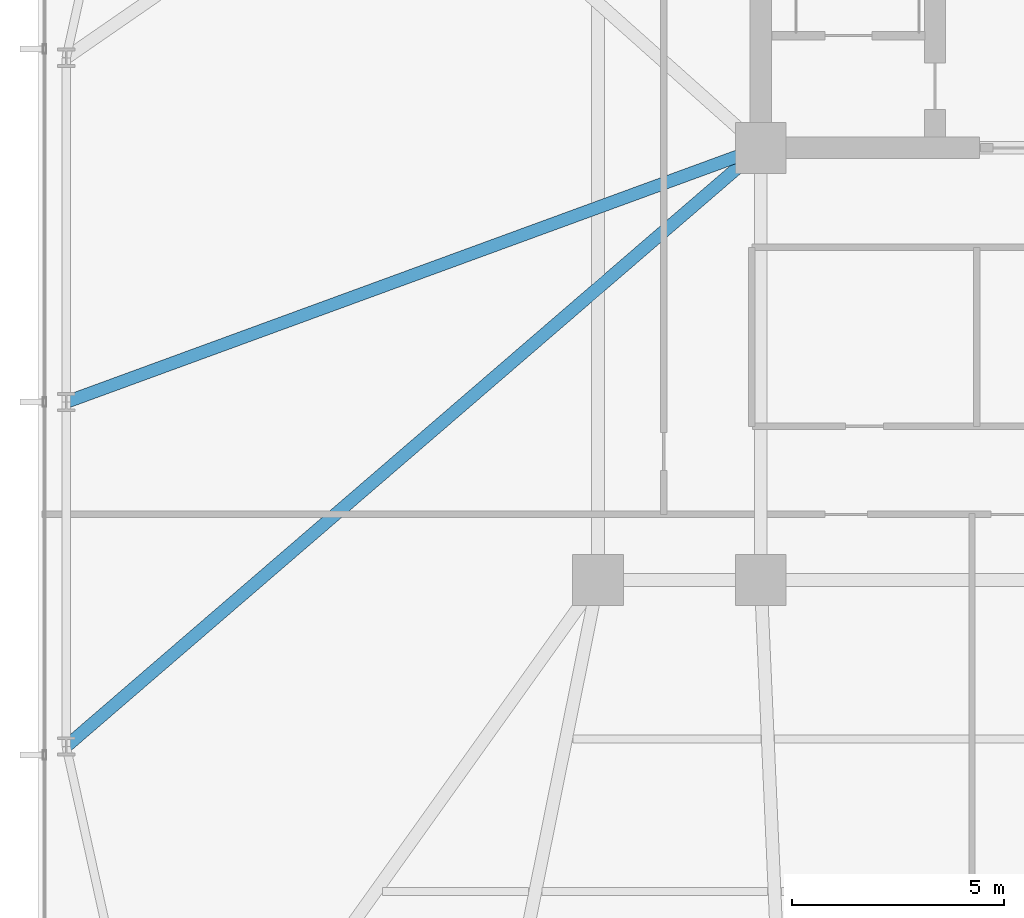
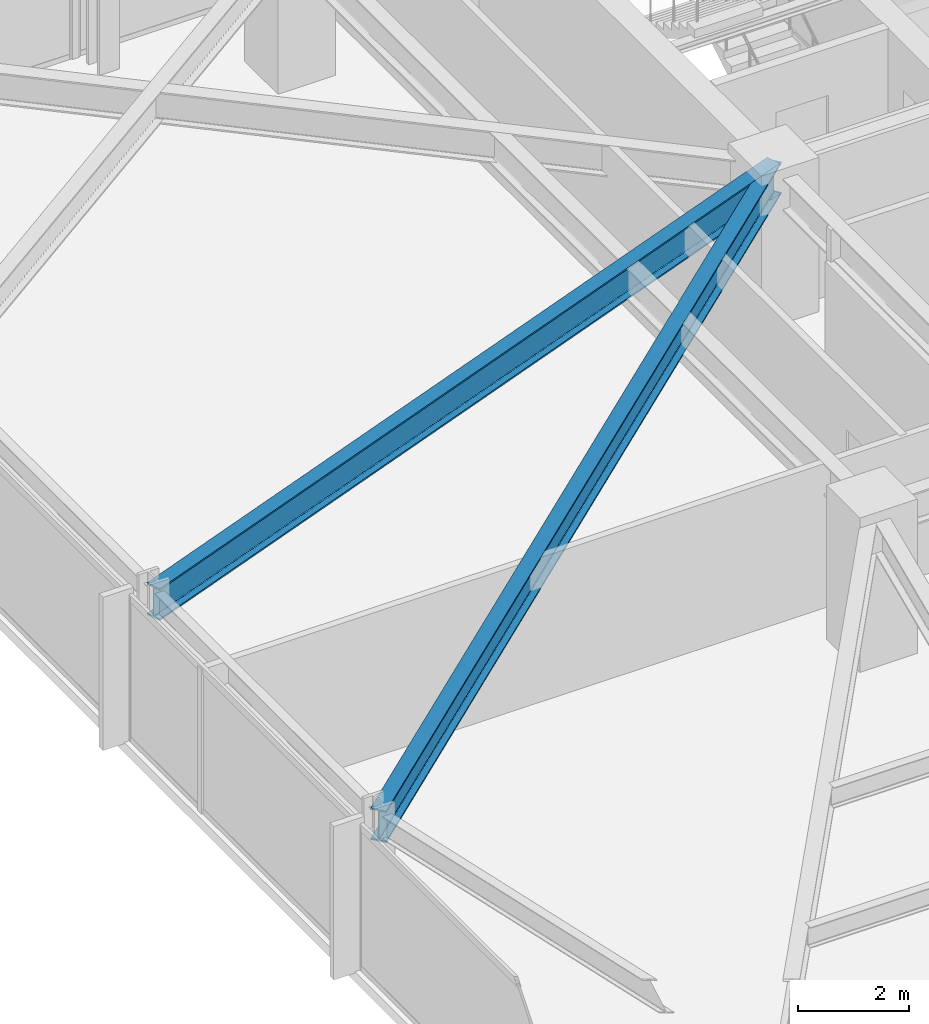
# One storey, part 8 of 33: 2 beams.
"""IFC4 building model written with IfcOpenShell, lengths in metres."""

from ifc_helpers import new_model, si_unit, direction, frame, origin, origin_2d, place, context, subcontext, project, spatial, i_section, extrude, material, material_profile, profile_set, type_object, element, save


model = new_model("IFC4")

# Units and contexts
model_context = context("Model", 3, precision=1e-05, world=origin(), true_north=direction((0.0, 1.0)))
body_context = subcontext(model_context, "Body", "Model", "MODEL_VIEW")
ifc_project = project(units=[si_unit("LENGTHUNIT", "METRE"), si_unit("AREAUNIT", "SQUARE_METRE"), si_unit("VOLUMEUNIT", "CUBIC_METRE"), si_unit("PLANEANGLEUNIT", "RADIAN"), si_unit("MASSUNIT", "GRAM", prefix="KILO")], contexts=[model_context])

# Site, building, storey
site_placement = place(None, origin())
site = spatial("IfcSite", under=ifc_project, at=site_placement, CompositionType="ELEMENT")
building_placement = place(site_placement, origin())
building = spatial("IfcBuilding", under=site, at=building_placement, Name="Yelkora Congress Tower", CompositionType="ELEMENT")
storey_placement = place(building_placement, frame((0.0, 0.0, 54.199951171875)))
storey = spatial("IfcBuildingStorey", under=building, at=storey_placement, Name="L13", CompositionType="ELEMENT", Elevation=54.199951171875)

# Beams
ifc_material = material(Name="Steel S355J2", Category="steel")
ifc_material_profile = material_profile(ifc_material, i_section(OverallWidth=0.300048828125, OverallDepth=0.699951171875, WebThickness=0.01708984375, FlangeThickness=0.031982421875, FilletRadius=0.027099609375, at=origin_2d()), Name="HEB 700")
ifc_profile_set = profile_set([ifc_material_profile], Name="Steel S355J2")
beam_type = type_object("IfcBeamType", Name="BM-GIRD-HEB700", PredefinedType="BEAM", material=ifc_profile_set)
beam_1_placement = place(storey_placement, frame((6.64990234375, 21.27490234375, 2.830078125), z_axis=(0.757511165967, 0.652822206604, 0.0), x_axis=(-0.652822206604, 0.757511165967, 0.0)))
element("IfcBeam", 1, at=beam_1_placement, inside=storey, type_object=beam_type, Name="L13 Primary Frame Girder W01", PredefinedType="BEAM", context=body_context, shape_type="SweptSolid", body=[
    extrude(i_section(OverallWidth=0.300048828125, OverallDepth=0.699951171875, WebThickness=0.01708984375, FlangeThickness=0.031982421875, FilletRadius=0.027099609375, at=origin_2d()), origin(), (0.0, 0.0, 1.0), 21.63671875),
])
beam_2_placement = place(storey_placement, frame((6.64990234375, 29.39990234375, 2.830078125), z_axis=(0.939056124561, 0.343763865064, 0.0), x_axis=(-0.343763865064, 0.939056124561, 0.0)))
element("IfcBeam", 2, at=beam_2_placement, inside=storey, type_object=beam_type, Name="L13 Primary Frame Girder W02", PredefinedType="BEAM", context=body_context, shape_type="SweptSolid", body=[
    extrude(i_section(OverallWidth=0.300048828125, OverallDepth=0.699951171875, WebThickness=0.01708984375, FlangeThickness=0.031982421875, FilletRadius=0.027099609375, at=origin_2d()), origin(), (0.0, 0.0, 1.0), 17.453857421875),
])

save(model, "model.ifc")
